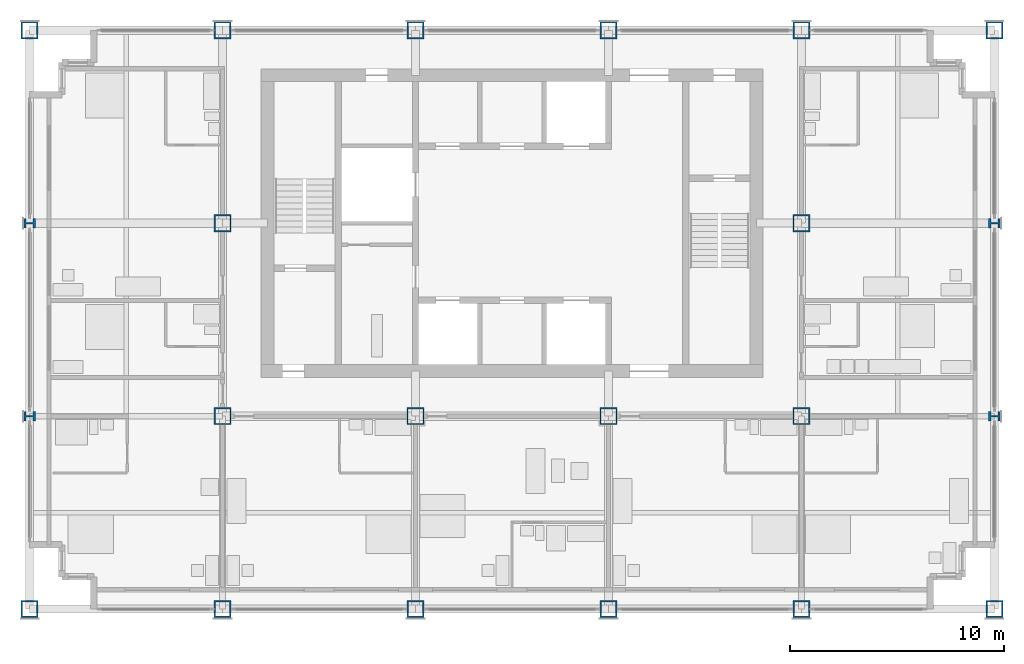
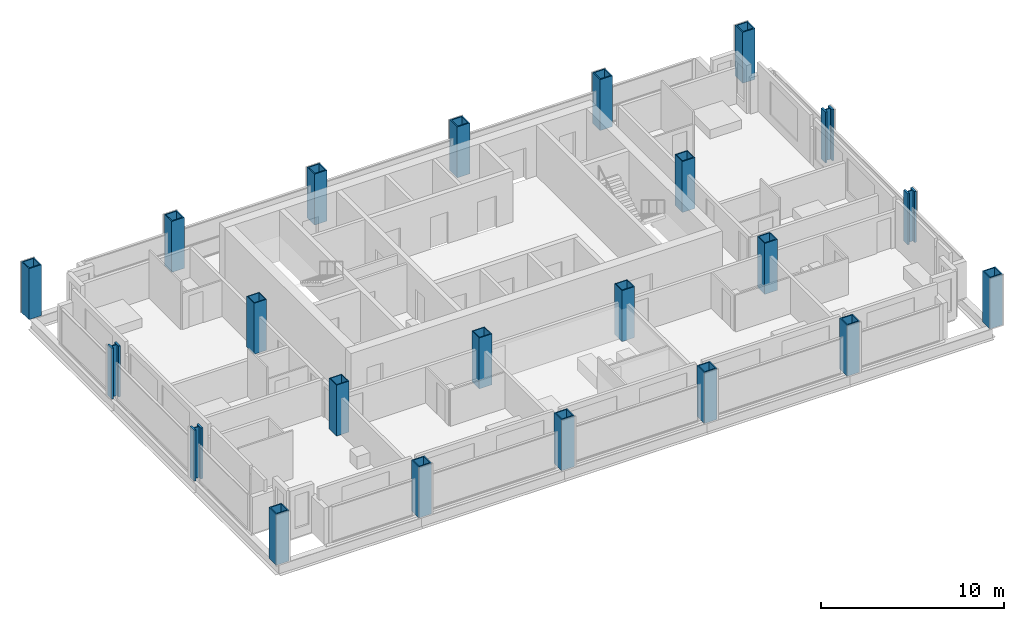
# One storey, part 1 of 13: 22 columns.
"""IFC4 building model written with IfcOpenShell, lengths in metres."""

from ifc_helpers import new_model, si_unit, direction, frame, origin, origin_2d, place, context, subcontext, project, spatial, hollow_rectangle, i_section, extrude, material, material_profile, profile_set, type_object, element, save


model = new_model("IFC4")

# Units and contexts
model_context = context("Model", 3, precision=1e-05, world=origin(), true_north=direction((0.0, 1.0)))
body_context = subcontext(model_context, "Body", "Model", "MODEL_VIEW")
ifc_project = project(units=[si_unit("LENGTHUNIT", "METRE"), si_unit("AREAUNIT", "SQUARE_METRE"), si_unit("VOLUMEUNIT", "CUBIC_METRE"), si_unit("PLANEANGLEUNIT", "RADIAN"), si_unit("MASSUNIT", "GRAM", prefix="KILO")], contexts=[model_context])

# Site, building, storey
site_placement = place(None, origin())
site = spatial("IfcSite", under=ifc_project, at=site_placement, CompositionType="ELEMENT")
building_placement = place(site_placement, origin())
building = spatial("IfcBuilding", under=site, at=building_placement, Name="Loomwork Tower", CompositionType="ELEMENT")
storey_placement = place(building_placement, frame((0.0, 0.0, 180.800048828125)))
storey = spatial("IfcBuildingStorey", under=building, at=storey_placement, Name="L49", CompositionType="ELEMENT", Elevation=180.800048828125)

# Columns
ifc_material_1 = material(Name="Steel ASTM A572 Grade 50 plate", Category="steel")
ifc_material_profile_1 = material_profile(ifc_material_1, hollow_rectangle(XDim=0.800048828125, YDim=0.800048828125, WallThickness=0.070068359375, at=origin_2d()), Name="BOX800x70")
ifc_profile_set_1 = profile_set([ifc_material_profile_1], Name="Steel ASTM A572 Grade 50 plate")
column_type_1 = type_object("IfcColumnType", Name="EXOSKELETON PIER BOX800x70", PredefinedType="COLUMN", material=ifc_profile_set_1)
for number, where, z_axis, x_axis, name in (
    (1, (0.0, 0.0, 0.0), (0.0, 0.0, 1.0), (1.0, 0.0, 0.0), "Exoskeleton Pier D/2 L49"),
    (2, (0.0, 27.0, 0.0), (0.0, 0.0, 1.0), (0.0, 1.0, 0.0), "Exoskeleton Pier G/2 L49"),
    (3, (9.0, 0.0, 0.0), (0.0, 0.0, 1.0), (1.0, 0.0, 0.0), "Exoskeleton Pier D/3 L49"),
    (4, (9.0, 27.0, 0.0), (0.0, 0.0, 1.0), (1.0, 0.0, 0.0), "Exoskeleton Pier G/3 L49"),
    (5, (18.0, 0.0, 0.0), (0.0, 0.0, 1.0), (1.0, 0.0, 0.0), "Exoskeleton Pier D/4 L49"),
    (6, (18.0, 27.0, 0.0), (0.0, 0.0, 1.0), (1.0, 0.0, 0.0), "Exoskeleton Pier G/4 L49"),
    (7, (27.0, 0.0, 0.0), (0.0, 0.0, 1.0), (1.0, 0.0, 0.0), "Exoskeleton Pier D/5 L49"),
    (8, (27.0, 27.0, 0.0), (0.0, 0.0, 1.0), (1.0, 0.0, 0.0), "Exoskeleton Pier G/5 L49"),
    (9, (36.0, 0.0, 0.0), (0.0, 0.0, 1.0), (1.0, 0.0, 0.0), "Exoskeleton Pier D/6 L49"),
    (10, (36.0, 27.0, 0.0), (0.0, 0.0, 1.0), (1.0, 0.0, 0.0), "Exoskeleton Pier G/6 L49"),
    (11, (45.0, 0.0, 0.0), (0.0, 0.0, 1.0), (1.0, 0.0, 0.0), "Exoskeleton Pier D/7 L49"),
    (12, (45.0, 27.0, 0.0), (0.0, 0.0, 1.0), (0.0, 1.0, 0.0), "Exoskeleton Pier G/7 L49"),
):
    element("IfcColumn", number, at=place(storey_placement, frame(where, z_axis=z_axis, x_axis=x_axis)), inside=storey, type_object=column_type_1, Name=name, PredefinedType="COLUMN", context=body_context, shape_type="SweptSolid", body=[
        extrude(hollow_rectangle(XDim=0.800048828125, YDim=0.800048828125, WallThickness=0.070068359375, at=origin_2d()), origin(), (0.0, 0.0, 1.0), 3.39990234375),
    ])
ifc_material_2 = material(Name="Steel ASTM A992", Category="steel")
ifc_material_profile_2 = material_profile(ifc_material_2, i_section(OverallWidth=0.449462890625, OverallDepth=0.548583984375, WebThickness=0.07177734375, FlangeThickness=0.11474609375, at=origin_2d()), Name="W14x665")
ifc_profile_set_2 = profile_set([ifc_material_profile_2], Name="Steel ASTM A992")
column_type_2 = type_object("IfcColumnType", Name="EXOSKELETON PIER W14x665", PredefinedType="COLUMN", material=ifc_profile_set_2)
for number, where, z_axis, x_axis, name in (
    (13, (0.0, 9.0, 0.0), (0.0, 0.0, 1.0), (0.0, 1.0, 0.0), "Exoskeleton Pier E/2 L49"),
    (14, (0.0, 18.0, 0.0), (0.0, 0.0, 1.0), (0.0, 1.0, 0.0), "Exoskeleton Pier F/2 L49"),
    (15, (45.0, 9.0, 0.0), (0.0, 0.0, 1.0), (0.0, 1.0, 0.0), "Exoskeleton Pier E/7 L49"),
    (16, (45.0, 18.0, 0.0), (0.0, 0.0, 1.0), (0.0, 1.0, 0.0), "Exoskeleton Pier F/7 L49"),
):
    element("IfcColumn", number, at=place(storey_placement, frame(where, z_axis=z_axis, x_axis=x_axis)), inside=storey, type_object=column_type_2, Name=name, PredefinedType="COLUMN", context=body_context, shape_type="SweptSolid", body=[
        extrude(i_section(OverallWidth=0.449462890625, OverallDepth=0.548583984375, WebThickness=0.07177734375, FlangeThickness=0.11474609375, at=origin_2d()), origin(), (0.0, 0.0, 1.0), 3.39990234375),
    ])
ifc_material_3 = material(Name="Steel ASTM A572 Grade 50 plate", Category="steel")
ifc_material_profile_3 = material_profile(ifc_material_3, hollow_rectangle(XDim=0.800048828125, YDim=0.800048828125, WallThickness=0.06005859375, at=origin_2d()), Name="BOX800x60")
ifc_profile_set_3 = profile_set([ifc_material_profile_3], Name="Steel ASTM A572 Grade 50 plate")
column_type_3 = type_object("IfcColumnType", Name="TOWER COLUMN BOX800x60", PredefinedType="COLUMN", material=ifc_profile_set_3)
for number, where, z_axis, x_axis, name in (
    (17, (9.0, 9.0, 0.0), (0.0, 0.0, 1.0), (1.0, 0.0, 0.0), "Tower Column E/3 L49"),
    (18, (9.0, 18.0, 0.0), (0.0, 0.0, 1.0), (1.0, 0.0, 0.0), "Tower Column F/3 L49"),
    (19, (18.0, 9.0, 0.0), (0.0, 0.0, 1.0), (1.0, 0.0, 0.0), "Tower Column E/4 L49"),
    (20, (27.0, 9.0, 0.0), (0.0, 0.0, 1.0), (1.0, 0.0, 0.0), "Tower Column E/5 L49"),
    (21, (36.0, 9.0, 0.0), (0.0, 0.0, 1.0), (0.0, 1.0, 0.0), "Tower Column E/6 L49"),
    (22, (36.0, 18.0, 0.0), (0.0, 0.0, 1.0), (0.0, 1.0, 0.0), "Tower Column F/6 L49"),
):
    element("IfcColumn", number, at=place(storey_placement, frame(where, z_axis=z_axis, x_axis=x_axis)), inside=storey, type_object=column_type_3, Name=name, PredefinedType="COLUMN", context=body_context, shape_type="SweptSolid", body=[
        extrude(hollow_rectangle(XDim=0.800048828125, YDim=0.800048828125, WallThickness=0.06005859375, at=origin_2d()), origin(), (0.0, 0.0, 1.0), 3.39990234375),
    ])

save(model, "model.ifc")
